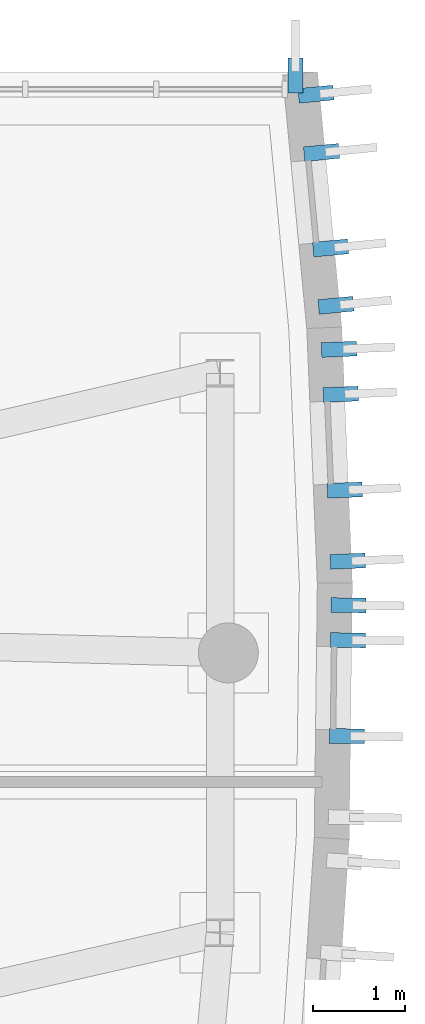
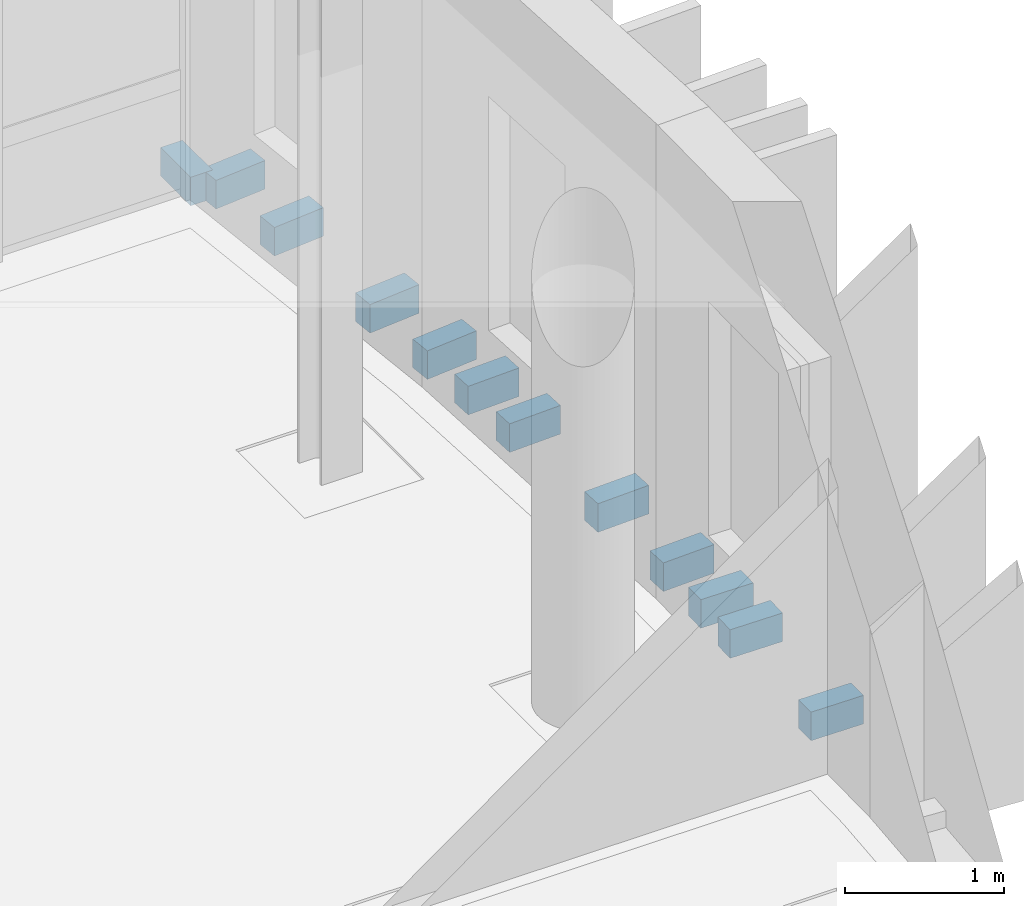
# One storey, part 8 of 9: 12 discrete accessories.
"""IFC4 building model written with IfcOpenShell, lengths in metres."""

from ifc_helpers import new_model, si_unit, direction, frame, origin, origin_2d, place, context, subcontext, project, spatial, rectangle, extrude, material, type_object, element, save


model = new_model("IFC4")

# Units and contexts
model_context = context("Model", 3, precision=1e-05, world=origin(), true_north=direction((0.0, 1.0)))
body_context = subcontext(model_context, "Body", "Model", "MODEL_VIEW")
ifc_project = project(units=[si_unit("LENGTHUNIT", "METRE"), si_unit("AREAUNIT", "SQUARE_METRE"), si_unit("VOLUMEUNIT", "CUBIC_METRE"), si_unit("PLANEANGLEUNIT", "RADIAN"), si_unit("MASSUNIT", "GRAM", prefix="KILO")], contexts=[model_context])

# Site, building, storey
site_placement = place(None, origin())
site = spatial("IfcSite", under=ifc_project, at=site_placement, CompositionType="ELEMENT")
building_placement = place(site_placement, origin())
building = spatial("IfcBuilding", under=site, at=building_placement, Name="Cymarion Research Institute", CompositionType="ELEMENT")
storey_placement = place(building_placement, frame((0.0, 0.0, 42.300048828125)))
storey = spatial("IfcBuildingStorey", under=building, at=storey_placement, Name="L10", CompositionType="ELEMENT", Elevation=42.300048828125)

# Discrete accessories
ifc_material = material(Name="Steel S355", Category="steel")
discrete_accessory_type = type_object("IfcDiscreteAccessoryType", Name="STAINLESS STEEL FACADE FIN BRACKET FBK1", PredefinedType="BRACKET", material=ifc_material)
for number, where, z_axis, x_axis, name in (
    (1, (167.660888671875, 22.2978515625, -0.08984375), (0.0, 0.0, 1.0), (0.99992536966, -0.012217000835, 0.0), "L10 V1 precast fin anchor bracket #890"),
    (2, (167.673583984375, 23.337646484375, -0.08984375), (0.0, 0.0, 1.0), (0.99992536966, -0.012217000835, 0.0), "L10 V1 precast fin anchor bracket #891"),
    (3, (167.677978515625, 23.716796875, -0.08984375), (0.0, 0.0, 1.0), (0.99992536966, -0.012217000835, 0.0), "L10 V1 precast fin anchor bracket #892"),
    (4, (167.671142578125, 24.194580078125, -0.08984375), (0.0, 0.0, 1.0), (0.999144619181, 0.041352508522, 0.0), "L10 V1 precast fin anchor bracket #893"),
    (5, (167.639404296875, 24.96484375, -0.08984375), (0.0, 0.0, 1.0), (0.999144619181, 0.041352508522, 0.0), "L10 V1 precast fin anchor bracket #894"),
    (6, (167.596435546875, 26.00390625, -0.08984375), (0.0, 0.0, 1.0), (0.999144619181, 0.041352508522, 0.0), "L10 V1 precast fin anchor bracket #895"),
    (7, (167.576171875, 26.49169921875, -0.08984375), (0.0, 0.0, 1.0), (0.999144619181, 0.041352508522, 0.0), "L10 V1 precast fin anchor bracket #896"),
    (8, (167.543701171875, 26.96826171875, -0.08984375), (0.0, 0.0, 1.0), (0.995512553138, 0.09462957542, 0.0), "L10 V1 precast fin anchor bracket #897"),
    (9, (167.48486328125, 27.589599609375, -0.08984375), (0.0, 0.0, 1.0), (0.995512553138, 0.09462957542, 0.0), "L10 V1 precast fin anchor bracket #898"),
    (10, (167.386474609375, 28.625, -0.08984375), (0.0, 0.0, 1.0), (0.995512553138, 0.09462957542, 0.0), "L10 V1 precast fin anchor bracket #899"),
    (11, (167.326416015625, 29.25732421875, -0.08984375), (0.0, 0.0, 1.0), (0.995512553138, 0.09462957542, 0.0), "L10 V1 precast fin anchor bracket #900"),
    (12, (167.103515625, 29.4599609375, -0.08984375), (0.0, 0.0, 1.0), (0.0, 1.0, 0.0), "L10 V1 precast fin anchor bracket #901"),
):
    element("IfcDiscreteAccessory", number, at=place(storey_placement, frame(where, z_axis=z_axis, x_axis=x_axis)), inside=storey, type_object=discrete_accessory_type, Name=name, PredefinedType="BRACKET", context=body_context, shape_type="SweptSolid", body=[
        extrude(rectangle(XDim=0.3798828125, YDim=0.159912109375, at=origin_2d()), origin(), (0.0, 0.0, 1.0), 0.219970703125),
    ])

save(model, "model.ifc")
